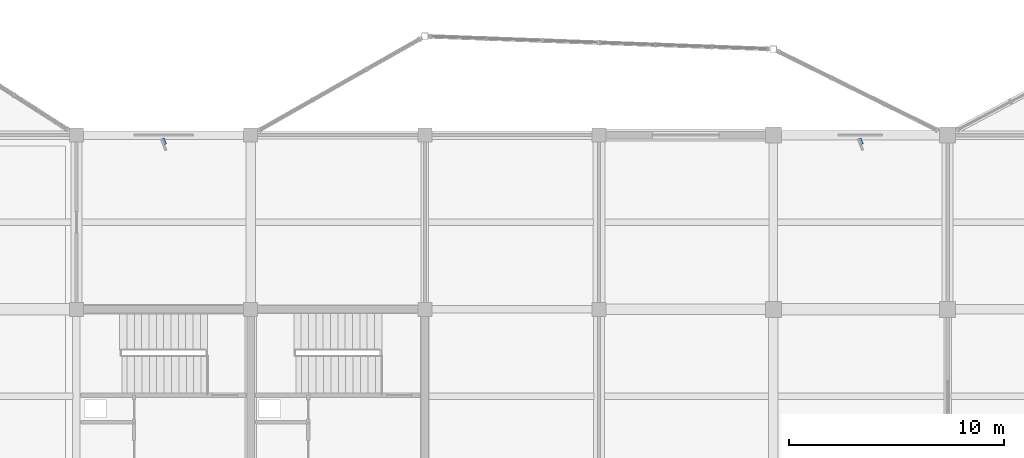
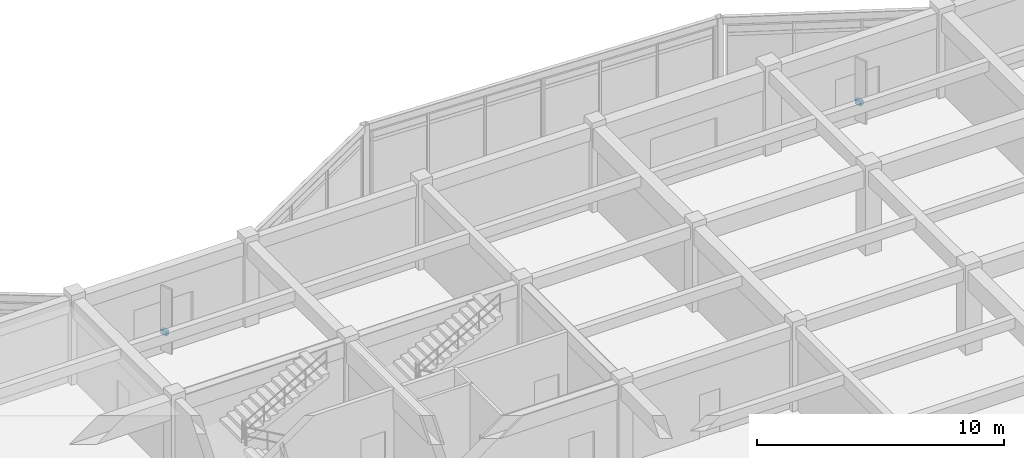
# One storey, part 81 of 89: 2 discrete accessories.
"""IFC4 building model written with IfcOpenShell, lengths in metres."""

from ifc_helpers import new_model, si_unit, direction, frame, origin, origin_2d, place, context, subcontext, project, spatial, rectangle, extrude, material, type_object, element, save


model = new_model("IFC4")

# Units and contexts
model_context = context("Model", 3, precision=1e-05, world=origin(), true_north=direction((0.0, 1.0)))
body_context = subcontext(model_context, "Body", "Model", "MODEL_VIEW")
ifc_project = project(units=[si_unit("LENGTHUNIT", "METRE"), si_unit("AREAUNIT", "SQUARE_METRE"), si_unit("VOLUMEUNIT", "CUBIC_METRE"), si_unit("PLANEANGLEUNIT", "RADIAN"), si_unit("MASSUNIT", "GRAM", prefix="KILO")], contexts=[model_context])

# Site, building, storey
site_placement = place(None, origin())
site = spatial("IfcSite", under=ifc_project, at=site_placement, CompositionType="ELEMENT")
building_placement = place(site_placement, origin())
building = spatial("IfcBuilding", under=site, at=building_placement, Name="Vaudrelin Polytechnic", CompositionType="ELEMENT")
storey_placement = place(building_placement, frame((0.0, 0.0, 9.68994140625)))
storey = spatial("IfcBuildingStorey", under=building, at=storey_placement, Name="L02", CompositionType="ELEMENT", Elevation=9.68994140625)

# Discrete accessories
ifc_material = material(Name="Galvanised steel CSA G40.21 350W", Category="steel")
discrete_accessory_type = type_object("IfcDiscreteAccessoryType", Name="ENV-BRK-01", PredefinedType="BRACKET", material=ifc_material)
for number, where, z_axis, x_axis, name in (
    (1, (109.35009765625, 121.199951171875, 0.990234375), (0.0, 0.0, 1.0), (0.374606593416, -0.927183854567, 0.0), "Solar fin support bracket BRK-025"),
    (2, (141.75, 121.205078125, 0.990234375), (0.0, 0.0, 1.0), (0.374606593416, -0.927183854567, 0.0), "Solar fin support bracket BRK-026"),
):
    element("IfcDiscreteAccessory", number, at=place(storey_placement, frame(where, z_axis=z_axis, x_axis=x_axis)), inside=storey, type_object=discrete_accessory_type, Name=name, PredefinedType="BRACKET", context=body_context, shape_type="SweptSolid", body=[
        extrude(rectangle(XDim=0.300048828125, YDim=0.179931640625, at=origin_2d()), origin(), (0.0, 0.0, 1.0), 0.219970703125),
    ])

save(model, "model.ifc")
